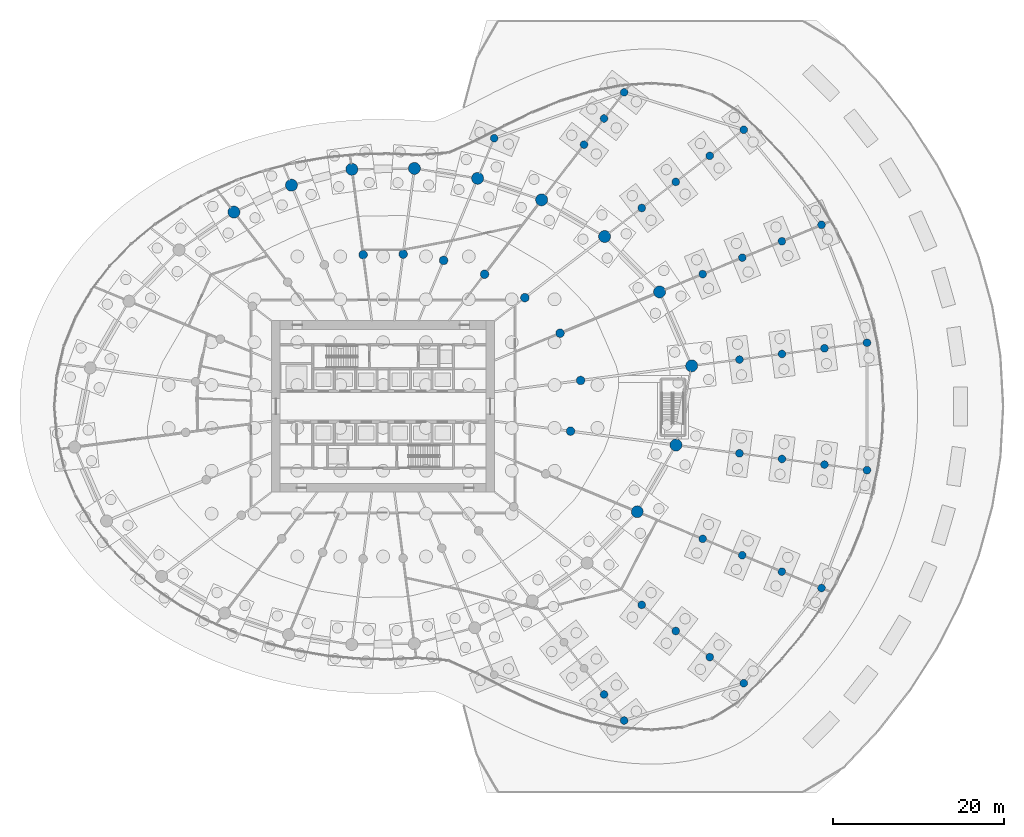
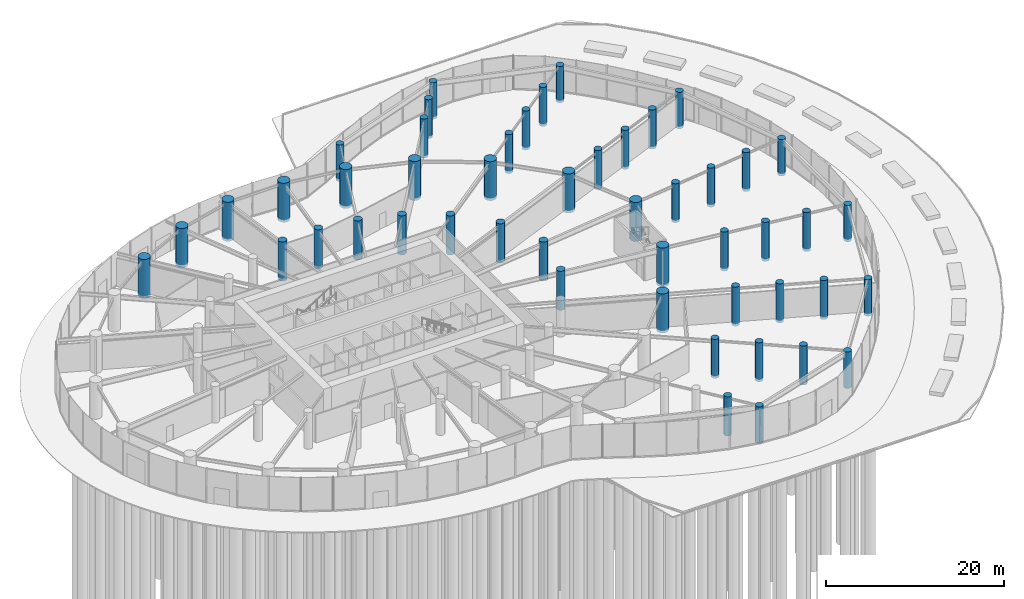
# One storey, part 4 of 28: 49 columns.
"""IFC4 building model written with IfcOpenShell, lengths in metres."""

from ifc_helpers import new_model, si_unit, direction, frame, origin, origin_2d, place, context, subcontext, project, spatial, circle, extrude, source, transform, mapped, material, material_profile, profile_set, type_object, element, save


model = new_model("IFC4")

# Units and contexts
model_context = context("Model", 3, precision=1e-05, world=origin(), true_north=direction((0.0, 1.0)))
body_context = subcontext(model_context, "Body", "Model", "MODEL_VIEW")
ifc_project = project(units=[si_unit("LENGTHUNIT", "METRE"), si_unit("AREAUNIT", "SQUARE_METRE"), si_unit("VOLUMEUNIT", "CUBIC_METRE"), si_unit("PLANEANGLEUNIT", "RADIAN"), si_unit("MASSUNIT", "GRAM", prefix="KILO")], contexts=[model_context])

# Site, building, storey
site_placement = place(None, origin())
site = spatial("IfcSite", under=ifc_project, at=site_placement, CompositionType="ELEMENT")
building_placement = place(site_placement, origin())
building = spatial("IfcBuilding", under=site, at=building_placement, Name="Spindrift Exchange Tower", CompositionType="ELEMENT")
storey_placement = place(building_placement, origin())
storey = spatial("IfcBuildingStorey", under=building, at=storey_placement, Name="L00", CompositionType="ELEMENT", Elevation=0.0)

# Columns
ifc_material_1 = material(Name="Concrete 80 MPa", Category="concrete")
ifc_material_profile_1 = material_profile(ifc_material_1, circle(Radius=0.699951171875, at=origin_2d()), Name="RC D1400")
ifc_profile_set_1 = profile_set([ifc_material_profile_1], Name="Concrete 80 MPa")
column_type_1 = type_object("IfcColumnType", Name="RC Perimeter Column D1400 Concrete 80 MPa", PredefinedType="COLUMN", material=ifc_profile_set_1)
shared_shape_1 = source(origin(), body_context, "Body", "SweptSolid", [
    extrude(circle(Radius=0.699951171875, at=origin_2d()), origin(), (0.0, 0.0, 1.0), 5.35009765625),
])
for number, where, z_axis, x_axis, name in (
    (1, (87.990478515625, 52.73828125, -0.35009765625), (0.0, 0.0, 1.0), (1.0, 0.0, 0.0), "Perimeter column P1-01 L00"),
    (2, (84.248779296875, 61.35791015625, -0.35009765625), (0.0, 0.0, 1.0), (1.0, 0.0, 0.0), "Perimeter column P1-02 L00"),
    (3, (77.835693359375, 67.82421875, -0.35009765625), (0.0, 0.0, 1.0), (1.0, 0.0, 0.0), "Perimeter column P1-03 L00"),
    (4, (70.4921875, 72.099609375, -0.35009765625), (0.0, 0.0, 1.0), (1.0, 0.0, 0.0), "Perimeter column P1-04 L00"),
    (5, (63.022705078125, 74.611328125, -0.35009765625), (0.0, 0.0, 1.0), (1.0, 0.0, 0.0), "Perimeter column P1-05 L00"),
    (6, (55.65478515625, 75.761474609375, -0.35009765625), (0.0, 0.0, 1.0), (1.0, 0.0, 0.0), "Perimeter column P1-06 L00"),
    (7, (48.3583984375, 75.661376953125, -0.35009765625), (0.0, 0.0, 1.0), (1.0, 0.0, 0.0), "Perimeter column P1-07 L00"),
    (8, (41.309814453125, 73.80859375, -0.35009765625), (0.0, 0.0, 1.0), (1.0, 0.0, 0.0), "Perimeter column P1-08 L00"),
    (9, (34.603515625, 70.671630859375, -0.35009765625), (0.0, 0.0, 1.0), (1.0, 0.0, 0.0), "Perimeter column P1-09 L00"),
    (10, (81.64453125, 35.720703125, -0.35009765625), (0.0, 0.0, 1.0), (1.0, 0.0, 0.0), "Perimeter column P1-23 L00"),
    (11, (86.1611328125, 43.502685546875, -0.35009765625), (0.0, 0.0, 1.0), (1.0, 0.0, 0.0), "Perimeter column P1-24 L00"),
):
    element("IfcColumn", number, at=place(storey_placement, frame(where, z_axis=z_axis, x_axis=x_axis)), inside=storey, type_object=column_type_1, Name=name, PredefinedType="COLUMN", context=body_context, shape_type="MappedRepresentation", body=[
        mapped(shared_shape_1, transform((0.0, 0.0, 0.0), scale=1.0)),
    ])
ifc_material_profile_2 = material_profile(ifc_material_1, circle(Radius=0.5, at=origin_2d()), Name="RC D1000")
ifc_profile_set_2 = profile_set([ifc_material_profile_2], Name="Concrete 80 MPa")
column_type_2 = type_object("IfcColumnType", Name="RC Inner Column D1000 Concrete 80 MPa", PredefinedType="COLUMN", material=ifc_profile_set_2)
shared_shape_2 = source(origin(), body_context, "Body", "SweptSolid", [
    extrude(circle(Radius=0.5, at=origin_2d()), origin(), (0.0, 0.0, 1.0), 5.35009765625),
])
for number, where, z_axis, x_axis, name in (
    (12, (75.033935546875, 51.032470703125, -0.35009765625), (0.0, 0.0, 1.0), (1.0, 0.0, 0.0), "Inner column Q1-01 L00"),
    (13, (72.639404296875, 56.549072265625, -0.35009765625), (0.0, 0.0, 1.0), (1.0, 0.0, 0.0), "Inner column Q1-02 L00"),
    (14, (68.534912109375, 60.6875, -0.35009765625), (0.0, 0.0, 1.0), (1.0, 0.0, 0.0), "Inner column Q1-03 L00"),
    (15, (63.835205078125, 63.423828125, -0.35009765625), (0.0, 0.0, 1.0), (1.0, 0.0, 0.0), "Inner column Q1-04 L00"),
    (16, (59.0546875, 65.03125, -0.35009765625), (0.0, 0.0, 1.0), (1.0, 0.0, 0.0), "Inner column Q1-05 L00"),
    (17, (54.339111328125, 65.767333984375, -0.35009765625), (0.0, 0.0, 1.0), (1.0, 0.0, 0.0), "Inner column Q1-06 L00"),
    (18, (49.669189453125, 65.703125, -0.35009765625), (0.0, 0.0, 1.0), (1.0, 0.0, 0.0), "Inner column Q1-07 L00"),
    (19, (73.86328125, 45.12158203125, -0.35009765625), (0.0, 0.0, 1.0), (1.0, 0.0, 0.0), "Inner column Q1-24 L00"),
):
    element("IfcColumn", number, at=place(storey_placement, frame(where, z_axis=z_axis, x_axis=x_axis)), inside=storey, type_object=column_type_2, Name=name, PredefinedType="COLUMN", context=body_context, shape_type="MappedRepresentation", body=[
        mapped(shared_shape_2, transform((0.0, 0.0, 0.0), scale=1.0)),
    ])
ifc_material_2 = material(Name="Concrete 50 MPa", Category="concrete")
ifc_material_profile_3 = material_profile(ifc_material_2, circle(Radius=0.449951171875, at=origin_2d()), Name="RC D900")
ifc_profile_set_3 = profile_set([ifc_material_profile_3], Name="Concrete 50 MPa")
column_type_3 = type_object("IfcColumnType", Name="RC Cascade Column D900 Concrete 50 MPa", PredefinedType="COLUMN", material=ifc_profile_set_3)
shared_shape_3 = source(origin(), body_context, "Body", "SweptSolid", [
    extrude(circle(Radius=0.449951171875, at=origin_2d()), origin(), (0.0, 0.0, 1.0), 5.0),
])
for number, where, z_axis, x_axis, name in (
    (20, (108.436279296875, 55.429931640625, -0.35009765625), (0.0, 0.0, 1.0), (1.0, 0.0, 0.0), "Cascade column G0-01 L00"),
    (21, (103.13232421875, 69.1796875, -0.35009765625), (0.0, 0.0, 1.0), (1.0, 0.0, 0.0), "Cascade column G0-02 L00"),
    (22, (94.064453125, 80.277099609375, -0.35009765625), (0.0, 0.0, 1.0), (1.0, 0.0, 0.0), "Cascade column G0-03 L00"),
    (23, (80.109619140625, 84.633056640625, -0.35009765625), (0.0, 0.0, 1.0), (1.0, 0.0, 0.0), "Cascade column G0-04 L00"),
    (24, (64.9580078125, 79.28369140625, -0.35009765625), (0.0, 0.0, 1.0), (1.0, 0.0, 0.0), "Cascade column G0-05 L00"),
    (25, (80.109619140625, 11.366943359375, -0.35009765625), (0.0, 0.0, 1.0), (1.0, 0.0, 0.0), "Cascade column G0-21 L00"),
    (26, (94.064453125, 15.722900390625, -0.35009765625), (0.0, 0.0, 1.0), (1.0, 0.0, 0.0), "Cascade column G0-22 L00"),
    (27, (103.13232421875, 26.8203125, -0.35009765625), (0.0, 0.0, 1.0), (1.0, 0.0, 0.0), "Cascade column G0-23 L00"),
    (28, (108.436279296875, 40.570068359375, -0.35009765625), (0.0, 0.0, 1.0), (1.0, 0.0, 0.0), "Cascade column G0-24 L00"),
):
    element("IfcColumn", number, at=place(storey_placement, frame(where, z_axis=z_axis, x_axis=x_axis)), inside=storey, type_object=column_type_3, Name=name, PredefinedType="COLUMN", context=body_context, shape_type="MappedRepresentation", body=[
        mapped(shared_shape_3, transform((0.0, 0.0, 0.0), scale=1.0)),
    ])
shared_shape_4 = source(origin(), body_context, "Body", "SweptSolid", [
    extrude(circle(Radius=0.449951171875, at=origin_2d()), origin(), (0.0, 0.0, 1.0), 5.35009765625),
])
for number, where, z_axis, x_axis, name in (
    (29, (103.4794921875, 54.77734375, -0.35009765625), (0.0, 0.0, 1.0), (1.0, 0.0, 0.0), "Cascade column G1-01 L00"),
    (30, (98.51318359375, 67.266357421875, -0.35009765625), (0.0, 0.0, 1.0), (1.0, 0.0, 0.0), "Cascade column G1-02 L00"),
    (31, (90.097900390625, 77.2333984375, -0.35009765625), (0.0, 0.0, 1.0), (1.0, 0.0, 0.0), "Cascade column G1-03 L00"),
    (32, (77.77294921875, 81.587890625, -0.35009765625), (0.0, 0.0, 1.0), (1.0, 0.0, 0.0), "Cascade column G1-04 L00"),
    (33, (77.77294921875, 14.412109375, -0.35009765625), (0.0, 0.0, 1.0), (1.0, 0.0, 0.0), "Cascade column G1-21 L00"),
    (34, (90.097900390625, 18.7666015625, -0.35009765625), (0.0, 0.0, 1.0), (1.0, 0.0, 0.0), "Cascade column G1-22 L00"),
    (35, (98.51318359375, 28.733642578125, -0.35009765625), (0.0, 0.0, 1.0), (1.0, 0.0, 0.0), "Cascade column G1-23 L00"),
    (36, (103.4794921875, 41.22265625, -0.35009765625), (0.0, 0.0, 1.0), (1.0, 0.0, 0.0), "Cascade column G1-24 L00"),
    (37, (98.5224609375, 54.124755859375, -0.35009765625), (0.0, 0.0, 1.0), (1.0, 0.0, 0.0), "Cascade column G2-01 L00"),
    (38, (93.893798828125, 65.35302734375, -0.35009765625), (0.0, 0.0, 1.0), (1.0, 0.0, 0.0), "Cascade column G2-02 L00"),
    (39, (86.13134765625, 74.189697265625, -0.35009765625), (0.0, 0.0, 1.0), (1.0, 0.0, 0.0), "Cascade column G2-03 L00"),
    (40, (75.436279296875, 78.542724609375, -0.35009765625), (0.0, 0.0, 1.0), (1.0, 0.0, 0.0), "Cascade column G2-04 L00"),
    (41, (86.13134765625, 21.810302734375, -0.35009765625), (0.0, 0.0, 1.0), (1.0, 0.0, 0.0), "Cascade column G2-22 L00"),
    (42, (93.893798828125, 30.64697265625, -0.35009765625), (0.0, 0.0, 1.0), (1.0, 0.0, 0.0), "Cascade column G2-23 L00"),
    (43, (98.5224609375, 41.875244140625, -0.35009765625), (0.0, 0.0, 1.0), (1.0, 0.0, 0.0), "Cascade column G2-24 L00"),
    (44, (93.565185546875, 53.47216796875, -0.35009765625), (0.0, 0.0, 1.0), (1.0, 0.0, 0.0), "Cascade column G3-01 L00"),
    (45, (89.274658203125, 63.439697265625, -0.35009765625), (0.0, 0.0, 1.0), (1.0, 0.0, 0.0), "Cascade column G3-02 L00"),
    (46, (82.16455078125, 71.14599609375, -0.35009765625), (0.0, 0.0, 1.0), (1.0, 0.0, 0.0), "Cascade column G3-03 L00"),
    (47, (82.16455078125, 24.85400390625, -0.35009765625), (0.0, 0.0, 1.0), (1.0, 0.0, 0.0), "Cascade column G3-22 L00"),
    (48, (89.274658203125, 32.560302734375, -0.35009765625), (0.0, 0.0, 1.0), (1.0, 0.0, 0.0), "Cascade column G3-23 L00"),
    (49, (93.565185546875, 42.52783203125, -0.35009765625), (0.0, 0.0, 1.0), (1.0, 0.0, 0.0), "Cascade column G3-24 L00"),
):
    element("IfcColumn", number, at=place(storey_placement, frame(where, z_axis=z_axis, x_axis=x_axis)), inside=storey, type_object=column_type_3, Name=name, PredefinedType="COLUMN", context=body_context, shape_type="MappedRepresentation", body=[
        mapped(shared_shape_4, transform((0.0, 0.0, 0.0), scale=1.0)),
    ])

save(model, "model.ifc")
